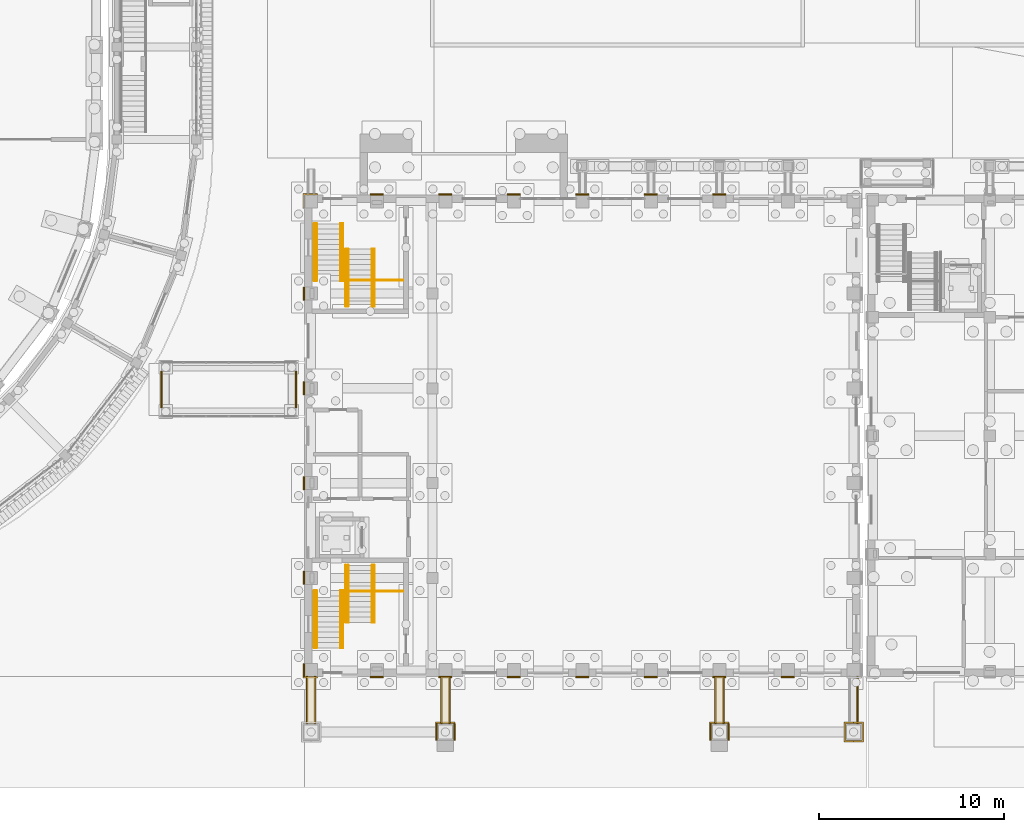
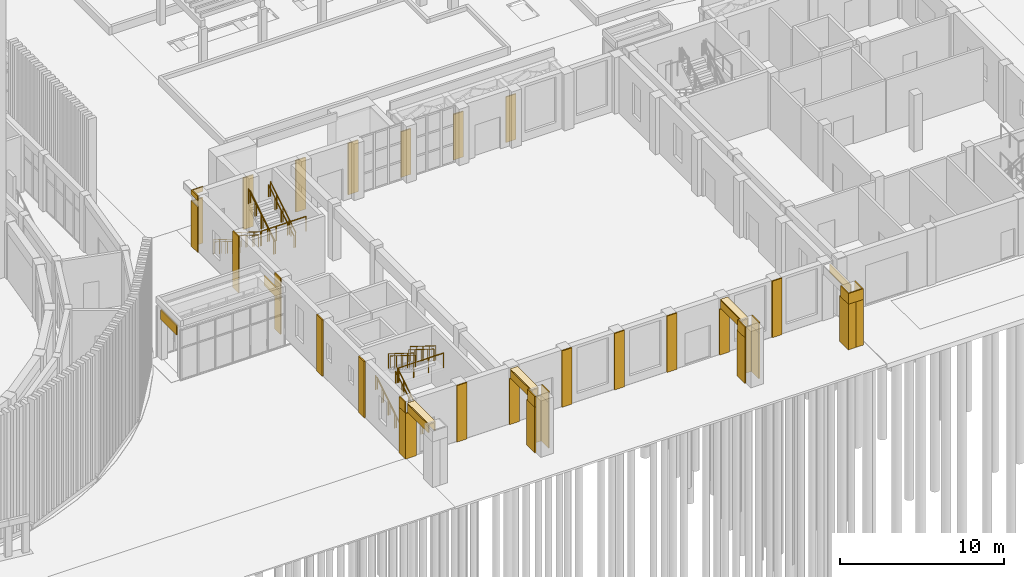
# One storey, part 96 of 112: 42 coverings, 18 railings.
"""IFC4 building model written with IfcOpenShell, lengths in metres."""

from ifc_helpers import new_model, si_unit, direction, frame, origin, origin_2d, place, context, subcontext, project, spatial, polyline, circle, outline, extrude, material, layer, layer_set, type_object, element, save


model = new_model("IFC4")

# Units and contexts
model_context = context("Model", 3, precision=1e-05, world=origin(), true_north=direction((0.0, 1.0)))
body_context = subcontext(model_context, "Body", "Model", "MODEL_VIEW")
ifc_project = project(units=[si_unit("LENGTHUNIT", "METRE"), si_unit("AREAUNIT", "SQUARE_METRE"), si_unit("VOLUMEUNIT", "CUBIC_METRE"), si_unit("PLANEANGLEUNIT", "RADIAN"), si_unit("MASSUNIT", "GRAM", prefix="KILO")], contexts=[model_context])

# Site, building, storey
site_placement = place(None, origin())
site = spatial("IfcSite", under=ifc_project, at=site_placement, CompositionType="ELEMENT")
building_placement = place(site_placement, origin())
building = spatial("IfcBuilding", under=site, at=building_placement, Name="Wasatch Bagh Community Centre", CompositionType="ELEMENT")
storey_placement = place(building_placement, origin())
storey = spatial("IfcBuildingStorey", under=building, at=storey_placement, Name="L00", CompositionType="ELEMENT", Elevation=0.0)

# Coverings
ifc_material_1 = material(Name="Cast stone cladding", Category="masonry")
ifc_layer_1 = layer(ifc_material_1, 0.080078125)
ifc_layer_set_1 = layer_set([ifc_layer_1], Name="Cast stone cladding")
covering_type_1 = type_object("IfcCoveringType", Name="CL-B7 beam facing", PredefinedType="CLADDING", material=ifc_layer_set_1)
covering_1_placement = place(storey_placement, frame((0.0, 0.0, 3.39990234375)))
element("IfcCovering", 1, at=covering_1_placement, inside=storey, type_object=covering_type_1, Name="Beam facing", PredefinedType="CLADDING", context=body_context, shape_type="SweptSolid", body=[
    extrude(outline(polyline([(66.52490234375, 6.0), (66.52490234375, 3.449951171875), (66.60498046875, 3.449951171875), (66.60498046875, 6.0), (66.52490234375, 6.0)])), origin(), (0.0, 0.0, 1.0), 0.60009765625),
])
covering_2_placement = place(storey_placement, frame((0.0, 0.0, 3.39990234375)))
element("IfcCovering", 2, at=covering_2_placement, inside=storey, type_object=covering_type_1, Name="Beam facing", PredefinedType="CLADDING", context=body_context, shape_type="SweptSolid", body=[
    extrude(outline(polyline([(66.175048828125, 6.0), (66.175048828125, 3.449951171875), (66.094970703125, 3.449951171875), (66.094970703125, 6.0), (66.175048828125, 6.0)])), origin(), (0.0, 0.0, 1.0), 0.60009765625),
])
covering_3_placement = place(storey_placement, frame((0.0, 0.0, 4.0)))
element("IfcCovering", 3, at=covering_3_placement, inside=storey, type_object=covering_type_1, Name="Beam facing", PredefinedType="CLADDING", context=body_context, shape_type="SweptSolid", body=[
    extrude(outline(polyline([(66.094970703125, 6.0), (66.094970703125, 3.449951171875), (66.60498046875, 3.449951171875), (66.60498046875, 6.0), (66.094970703125, 6.0)])), origin(), (0.0, 0.0, 1.0), 0.080078125),
])
covering_4_placement = place(storey_placement, frame((0.0, 0.0, 3.39990234375)))
element("IfcCovering", 4, at=covering_4_placement, inside=storey, type_object=covering_type_1, Name="Beam facing", PredefinedType="CLADDING", context=body_context, shape_type="SweptSolid", body=[
    extrude(outline(polyline([(73.77490234375, 6.0), (73.77490234375, 3.449951171875), (73.85498046875, 3.449951171875), (73.85498046875, 6.0), (73.77490234375, 6.0)])), origin(), (0.0, 0.0, 1.0), 0.60009765625),
])
covering_5_placement = place(storey_placement, frame((0.0, 0.0, 3.39990234375)))
element("IfcCovering", 5, at=covering_5_placement, inside=storey, type_object=covering_type_1, Name="Beam facing", PredefinedType="CLADDING", context=body_context, shape_type="SweptSolid", body=[
    extrude(outline(polyline([(73.425048828125, 6.0), (73.425048828125, 3.449951171875), (73.344970703125, 3.449951171875), (73.344970703125, 6.0), (73.425048828125, 6.0)])), origin(), (0.0, 0.0, 1.0), 0.60009765625),
])
covering_6_placement = place(storey_placement, frame((0.0, 0.0, 4.0)))
element("IfcCovering", 6, at=covering_6_placement, inside=storey, type_object=covering_type_1, Name="Beam facing", PredefinedType="CLADDING", context=body_context, shape_type="SweptSolid", body=[
    extrude(outline(polyline([(73.344970703125, 6.0), (73.344970703125, 3.449951171875), (73.85498046875, 3.449951171875), (73.85498046875, 6.0), (73.344970703125, 6.0)])), origin(), (0.0, 0.0, 1.0), 0.080078125),
])
covering_7_placement = place(storey_placement, frame((0.0, 0.0, 3.39990234375)))
element("IfcCovering", 7, at=covering_7_placement, inside=storey, type_object=covering_type_1, Name="Beam facing", PredefinedType="CLADDING", context=body_context, shape_type="SweptSolid", body=[
    extrude(outline(polyline([(88.574951171875, 6.0), (88.574951171875, 3.449951171875), (88.655029296875, 3.449951171875), (88.655029296875, 6.0), (88.574951171875, 6.0)])), origin(), (0.0, 0.0, 1.0), 0.60009765625),
])
covering_8_placement = place(storey_placement, frame((0.0, 0.0, 3.39990234375)))
element("IfcCovering", 8, at=covering_8_placement, inside=storey, type_object=covering_type_1, Name="Beam facing", PredefinedType="CLADDING", context=body_context, shape_type="SweptSolid", body=[
    extrude(outline(polyline([(88.22509765625, 6.0), (88.22509765625, 3.449951171875), (88.14501953125, 3.449951171875), (88.14501953125, 6.0), (88.22509765625, 6.0)])), origin(), (0.0, 0.0, 1.0), 0.60009765625),
])
covering_9_placement = place(storey_placement, frame((0.0, 0.0, 4.0)))
element("IfcCovering", 9, at=covering_9_placement, inside=storey, type_object=covering_type_1, Name="Beam facing", PredefinedType="CLADDING", context=body_context, shape_type="SweptSolid", body=[
    extrude(outline(polyline([(88.14501953125, 6.0), (88.14501953125, 3.449951171875), (88.655029296875, 3.449951171875), (88.655029296875, 6.0), (88.14501953125, 6.0)])), origin(), (0.0, 0.0, 1.0), 0.080078125),
])
covering_10_placement = place(storey_placement, frame((0.0, 0.0, 3.39990234375)))
element("IfcCovering", 10, at=covering_10_placement, inside=storey, type_object=covering_type_1, Name="Beam facing", PredefinedType="CLADDING", context=body_context, shape_type="SweptSolid", body=[
    extrude(outline(polyline([(95.824951171875, 6.0), (95.824951171875, 3.449951171875), (95.905029296875, 3.449951171875), (95.905029296875, 6.0), (95.824951171875, 6.0)])), origin(), (0.0, 0.0, 1.0), 0.60009765625),
])
covering_11_placement = place(storey_placement, frame((0.0, 0.0, 3.080078125)))
element("IfcCovering", 11, at=covering_11_placement, inside=storey, type_object=covering_type_1, Name="Beam facing", PredefinedType="CLADDING", context=body_context, shape_type="SweptSolid", body=[
    extrude(outline(polyline([(58.300048828125, 20.52490234375), (58.300048828125, 22.47509765625), (58.219970703125, 22.47509765625), (58.219970703125, 20.52490234375), (58.300048828125, 20.52490234375)])), origin(), (0.0, 0.0, 1.0), 0.699951171875),
])
covering_12_placement = place(storey_placement, frame((0.0, 0.0, 3.080078125)))
element("IfcCovering", 12, at=covering_12_placement, inside=storey, type_object=covering_type_1, Name="Beam facing", PredefinedType="CLADDING", context=body_context, shape_type="SweptSolid", body=[
    extrude(outline(polyline([(65.5, 20.52490234375), (65.5, 22.47509765625), (65.580078125, 22.47509765625), (65.580078125, 20.52490234375), (65.5, 20.52490234375)])), origin(), (0.0, 0.0, 1.0), 0.699951171875),
])
ifc_layer_2 = layer(ifc_material_1, 0.080078125)
ifc_layer_set_2 = layer_set([ifc_layer_2], Name="Cast stone cladding")
covering_type_2 = type_object("IfcCoveringType", Name="CL-C1 column facing", PredefinedType="CLADDING", material=ifc_layer_set_2)
covering_13_placement = place(storey_placement, origin())
element("IfcCovering", 13, at=covering_13_placement, inside=storey, type_object=covering_type_2, Name="Column facing", PredefinedType="CLADDING", context=body_context, shape_type="SweptSolid", body=[
    extrude(outline(polyline([(73.070068359375, 2.550048828125), (73.070068359375, 3.530029296875), (74.1298828125, 3.530029296875), (74.1298828125, 2.550048828125), (74.050048828125, 2.550048828125), (74.050048828125, 3.449951171875), (73.14990234375, 3.449951171875), (73.14990234375, 2.550048828125), (73.070068359375, 2.550048828125)])), origin(), (0.0, 0.0, 1.0), 3.39990234375),
])
covering_14_placement = place(storey_placement, frame((0.0, 0.0, 3.39990234375)))
element("IfcCovering", 14, at=covering_14_placement, inside=storey, type_object=covering_type_2, Name="Column facing", PredefinedType="CLADDING", context=body_context, shape_type="SweptSolid", body=[
    extrude(outline(polyline([(74.050048828125, 3.449951171875), (74.1298828125, 3.449951171875), (74.1298828125, 2.550048828125), (74.050048828125, 2.550048828125), (74.050048828125, 3.449951171875)])), origin(), (0.0, 0.0, 1.0), 0.800048828125),
])
covering_15_placement = place(storey_placement, frame((0.0, 0.0, 3.39990234375)))
element("IfcCovering", 15, at=covering_15_placement, inside=storey, type_object=covering_type_2, Name="Column facing", PredefinedType="CLADDING", context=body_context, shape_type="SweptSolid", body=[
    extrude(outline(polyline([(73.14990234375, 2.550048828125), (73.070068359375, 2.550048828125), (73.070068359375, 3.449951171875), (73.14990234375, 3.449951171875), (73.14990234375, 2.550048828125)])), origin(), (0.0, 0.0, 1.0), 0.800048828125),
])
covering_16_placement = place(storey_placement, origin())
element("IfcCovering", 16, at=covering_16_placement, inside=storey, type_object=covering_type_2, Name="Column facing", PredefinedType="CLADDING", context=body_context, shape_type="SweptSolid", body=[
    extrude(outline(polyline([(87.8701171875, 2.550048828125), (87.8701171875, 3.530029296875), (88.929931640625, 3.530029296875), (88.929931640625, 2.550048828125), (88.85009765625, 2.550048828125), (88.85009765625, 3.449951171875), (87.949951171875, 3.449951171875), (87.949951171875, 2.550048828125), (87.8701171875, 2.550048828125)])), origin(), (0.0, 0.0, 1.0), 3.39990234375),
])
covering_17_placement = place(storey_placement, frame((0.0, 0.0, 3.39990234375)))
element("IfcCovering", 17, at=covering_17_placement, inside=storey, type_object=covering_type_2, Name="Column facing", PredefinedType="CLADDING", context=body_context, shape_type="SweptSolid", body=[
    extrude(outline(polyline([(88.85009765625, 3.449951171875), (88.929931640625, 3.449951171875), (88.929931640625, 2.550048828125), (88.85009765625, 2.550048828125), (88.85009765625, 3.449951171875)])), origin(), (0.0, 0.0, 1.0), 0.800048828125),
])
covering_18_placement = place(storey_placement, frame((0.0, 0.0, 3.39990234375)))
element("IfcCovering", 18, at=covering_18_placement, inside=storey, type_object=covering_type_2, Name="Column facing", PredefinedType="CLADDING", context=body_context, shape_type="SweptSolid", body=[
    extrude(outline(polyline([(87.949951171875, 2.550048828125), (87.8701171875, 2.550048828125), (87.8701171875, 3.449951171875), (87.949951171875, 3.449951171875), (87.949951171875, 2.550048828125)])), origin(), (0.0, 0.0, 1.0), 0.800048828125),
])
covering_19_placement = place(storey_placement, origin())
element("IfcCovering", 19, at=covering_19_placement, inside=storey, type_object=covering_type_2, Name="Column facing", PredefinedType="CLADDING", context=body_context, shape_type="SweptSolid", body=[
    extrude(outline(polyline([(95.64990234375, 3.530029296875), (95.64990234375, 3.449951171875), (95.199951171875, 3.449951171875), (95.199951171875, 2.550048828125), (95.64990234375, 2.550048828125), (95.64990234375, 2.469970703125), (95.1201171875, 2.469970703125), (95.1201171875, 3.530029296875), (95.64990234375, 3.530029296875)])), origin(), (0.0, 0.0, 1.0), 3.39990234375),
])
covering_20_placement = place(storey_placement, origin())
element("IfcCovering", 20, at=covering_20_placement, inside=storey, type_object=covering_type_2, Name="Column facing", PredefinedType="CLADDING", context=body_context, shape_type="SweptSolid", body=[
    extrude(outline(polyline([(96.179931640625, 3.530029296875), (96.179931640625, 2.469970703125), (95.64990234375, 2.469970703125), (95.64990234375, 2.550048828125), (96.10009765625, 2.550048828125), (96.10009765625, 3.449951171875), (95.64990234375, 3.449951171875), (95.64990234375, 3.530029296875), (96.179931640625, 3.530029296875)])), origin(), (0.0, 0.0, 1.0), 3.39990234375),
])
covering_21_placement = place(storey_placement, frame((0.0, 0.0, 3.39990234375)))
element("IfcCovering", 21, at=covering_21_placement, inside=storey, type_object=covering_type_2, Name="Column facing", PredefinedType="CLADDING", context=body_context, shape_type="SweptSolid", body=[
    extrude(outline(polyline([(95.1201171875, 2.469970703125), (95.1201171875, 3.449951171875), (95.199951171875, 3.449951171875), (95.199951171875, 2.550048828125), (96.10009765625, 2.550048828125), (96.10009765625, 3.449951171875), (96.179931640625, 3.449951171875), (96.179931640625, 2.469970703125), (95.1201171875, 2.469970703125)])), origin(), (0.0, 0.0, 1.0), 0.800048828125),
])
covering_22_placement = place(storey_placement, origin())
element("IfcCovering", 22, at=covering_22_placement, inside=storey, type_object=covering_type_2, Name="Column facing", PredefinedType="CLADDING", context=body_context, shape_type="SweptSolid", body=[
    extrude(outline(polyline([(65.919921875, 5.919921875), (65.919921875, 6.699951171875), (66.0, 6.699951171875), (66.0, 6.0), (66.699951171875, 6.0), (66.699951171875, 5.919921875), (65.919921875, 5.919921875)])), origin(), (0.0, 0.0, 1.0), 3.39990234375),
])
covering_23_placement = place(storey_placement, frame((0.0, 0.0, 3.39990234375)))
element("IfcCovering", 23, at=covering_23_placement, inside=storey, type_object=covering_type_2, Name="Column facing", PredefinedType="CLADDING", context=body_context, shape_type="SweptSolid", body=[
    extrude(outline(polyline([(66.0, 6.699951171875), (66.0, 6.0), (65.919921875, 6.0), (65.919921875, 6.699951171875), (66.0, 6.699951171875)])), origin(), (0.0, 0.0, 1.0), 0.800048828125),
])
covering_24_placement = place(storey_placement, origin())
element("IfcCovering", 24, at=covering_24_placement, inside=storey, type_object=covering_type_2, Name="Column facing", PredefinedType="CLADDING", context=body_context, shape_type="SweptSolid", body=[
    extrude(outline(polyline([(69.550048828125, 6.0), (70.25, 6.0), (70.25, 5.919921875), (69.550048828125, 5.919921875), (69.550048828125, 6.0)])), origin(), (0.0, 0.0, 1.0), 4.199951171875),
])
covering_25_placement = place(storey_placement, origin())
element("IfcCovering", 25, at=covering_25_placement, inside=storey, type_object=covering_type_2, Name="Column facing", PredefinedType="CLADDING", context=body_context, shape_type="SweptSolid", body=[
    extrude(outline(polyline([(73.25, 6.0), (73.949951171875, 6.0), (73.949951171875, 5.919921875), (73.25, 5.919921875), (73.25, 6.0)])), origin(), (0.0, 0.0, 1.0), 3.39990234375),
])
covering_26_placement = place(storey_placement, origin())
element("IfcCovering", 26, at=covering_26_placement, inside=storey, type_object=covering_type_2, Name="Column facing", PredefinedType="CLADDING", context=body_context, shape_type="SweptSolid", body=[
    extrude(outline(polyline([(76.949951171875, 6.0), (77.64990234375, 6.0), (77.64990234375, 5.919921875), (76.949951171875, 5.919921875), (76.949951171875, 6.0)])), origin(), (0.0, 0.0, 1.0), 4.199951171875),
])
covering_27_placement = place(storey_placement, origin())
element("IfcCovering", 27, at=covering_27_placement, inside=storey, type_object=covering_type_2, Name="Column facing", PredefinedType="CLADDING", context=body_context, shape_type="SweptSolid", body=[
    extrude(outline(polyline([(80.64990234375, 6.0), (81.35009765625, 6.0), (81.35009765625, 5.919921875), (80.64990234375, 5.919921875), (80.64990234375, 6.0)])), origin(), (0.0, 0.0, 1.0), 4.199951171875),
])
covering_28_placement = place(storey_placement, origin())
element("IfcCovering", 28, at=covering_28_placement, inside=storey, type_object=covering_type_2, Name="Column facing", PredefinedType="CLADDING", context=body_context, shape_type="SweptSolid", body=[
    extrude(outline(polyline([(84.35009765625, 6.0), (85.050048828125, 6.0), (85.050048828125, 5.919921875), (84.35009765625, 5.919921875), (84.35009765625, 6.0)])), origin(), (0.0, 0.0, 1.0), 4.199951171875),
])
covering_29_placement = place(storey_placement, origin())
element("IfcCovering", 29, at=covering_29_placement, inside=storey, type_object=covering_type_2, Name="Column facing", PredefinedType="CLADDING", context=body_context, shape_type="SweptSolid", body=[
    extrude(outline(polyline([(88.050048828125, 6.0), (88.75, 6.0), (88.75, 5.919921875), (88.050048828125, 5.919921875), (88.050048828125, 6.0)])), origin(), (0.0, 0.0, 1.0), 3.39990234375),
])
covering_30_placement = place(storey_placement, origin())
element("IfcCovering", 30, at=covering_30_placement, inside=storey, type_object=covering_type_2, Name="Column facing", PredefinedType="CLADDING", context=body_context, shape_type="SweptSolid", body=[
    extrude(outline(polyline([(91.75, 6.0), (92.449951171875, 6.0), (92.449951171875, 5.919921875), (91.75, 5.919921875), (91.75, 6.0)])), origin(), (0.0, 0.0, 1.0), 4.199951171875),
])
covering_31_placement = place(storey_placement, origin())
element("IfcCovering", 31, at=covering_31_placement, inside=storey, type_object=covering_type_2, Name="Column facing", PredefinedType="CLADDING", context=body_context, shape_type="SweptSolid", body=[
    extrude(outline(polyline([(66.0, 31.300048828125), (65.919921875, 31.300048828125), (65.919921875, 32.080078125), (66.699951171875, 32.080078125), (66.699951171875, 32.0), (66.0, 32.0), (66.0, 31.300048828125)])), origin(), (0.0, 0.0, 1.0), 3.39990234375),
])
covering_32_placement = place(storey_placement, frame((0.0, 0.0, 3.85009765625)))
element("IfcCovering", 32, at=covering_32_placement, inside=storey, type_object=covering_type_2, Name="Column facing", PredefinedType="CLADDING", context=body_context, shape_type="SweptSolid", body=[
    extrude(outline(polyline([(66.0, 31.300048828125), (65.919921875, 31.300048828125), (65.919921875, 32.080078125), (66.699951171875, 32.080078125), (66.699951171875, 32.0), (66.0, 32.0), (66.0, 31.300048828125)])), origin(), (0.0, 0.0, 1.0), 0.349853515625),
])
covering_33_placement = place(storey_placement, origin())
element("IfcCovering", 33, at=covering_33_placement, inside=storey, type_object=covering_type_2, Name="Column facing", PredefinedType="CLADDING", context=body_context, shape_type="SweptSolid", body=[
    extrude(outline(polyline([(70.25, 32.0), (69.550048828125, 32.0), (69.550048828125, 32.080078125), (70.25, 32.080078125), (70.25, 32.0)])), origin(), (0.0, 0.0, 1.0), 3.85009765625),
])
covering_34_placement = place(storey_placement, origin())
element("IfcCovering", 34, at=covering_34_placement, inside=storey, type_object=covering_type_2, Name="Column facing", PredefinedType="CLADDING", context=body_context, shape_type="SweptSolid", body=[
    extrude(outline(polyline([(73.949951171875, 32.0), (73.25, 32.0), (73.25, 32.080078125), (73.949951171875, 32.080078125), (73.949951171875, 32.0)])), origin(), (0.0, 0.0, 1.0), 3.85009765625),
])
covering_35_placement = place(storey_placement, origin())
element("IfcCovering", 35, at=covering_35_placement, inside=storey, type_object=covering_type_2, Name="Column facing", PredefinedType="CLADDING", context=body_context, shape_type="SweptSolid", body=[
    extrude(outline(polyline([(77.64990234375, 32.0), (76.949951171875, 32.0), (76.949951171875, 32.080078125), (77.64990234375, 32.080078125), (77.64990234375, 32.0)])), origin(), (0.0, 0.0, 1.0), 3.85009765625),
])
covering_36_placement = place(storey_placement, origin())
element("IfcCovering", 36, at=covering_36_placement, inside=storey, type_object=covering_type_2, Name="Column facing", PredefinedType="CLADDING", context=body_context, shape_type="SweptSolid", body=[
    extrude(outline(polyline([(81.35009765625, 32.0), (80.64990234375, 32.0), (80.64990234375, 32.080078125), (81.35009765625, 32.080078125), (81.35009765625, 32.0)])), origin(), (0.0, 0.0, 1.0), 3.39990234375),
])
covering_37_placement = place(storey_placement, origin())
element("IfcCovering", 37, at=covering_37_placement, inside=storey, type_object=covering_type_2, Name="Column facing", PredefinedType="CLADDING", context=body_context, shape_type="SweptSolid", body=[
    extrude(outline(polyline([(85.050048828125, 32.0), (84.35009765625, 32.0), (84.35009765625, 32.080078125), (85.050048828125, 32.080078125), (85.050048828125, 32.0)])), origin(), (0.0, 0.0, 1.0), 3.39990234375),
])
covering_38_placement = place(storey_placement, origin())
element("IfcCovering", 38, at=covering_38_placement, inside=storey, type_object=covering_type_2, Name="Column facing", PredefinedType="CLADDING", context=body_context, shape_type="SweptSolid", body=[
    extrude(outline(polyline([(88.75, 32.0), (88.050048828125, 32.0), (88.050048828125, 32.080078125), (88.75, 32.080078125), (88.75, 32.0)])), origin(), (0.0, 0.0, 1.0), 3.39990234375),
])
covering_39_placement = place(storey_placement, origin())
element("IfcCovering", 39, at=covering_39_placement, inside=storey, type_object=covering_type_2, Name="Column facing", PredefinedType="CLADDING", context=body_context, shape_type="SweptSolid", body=[
    extrude(outline(polyline([(66.0, 11.669921875), (66.0, 10.969970703125), (65.919921875, 10.969970703125), (65.919921875, 11.669921875), (66.0, 11.669921875)])), origin(), (0.0, 0.0, 1.0), 4.199951171875),
])
covering_40_placement = place(storey_placement, origin())
element("IfcCovering", 40, at=covering_40_placement, inside=storey, type_object=covering_type_2, Name="Column facing", PredefinedType="CLADDING", context=body_context, shape_type="SweptSolid", body=[
    extrude(outline(polyline([(66.0, 16.7900390625), (66.0, 16.090087890625), (65.919921875, 16.090087890625), (65.919921875, 16.7900390625), (66.0, 16.7900390625)])), origin(), (0.0, 0.0, 1.0), 4.199951171875),
])
covering_41_placement = place(storey_placement, frame((0.0, 0.0, 0.01611328125)))
element("IfcCovering", 41, at=covering_41_placement, inside=storey, type_object=covering_type_2, Name="Column facing", PredefinedType="CLADDING", context=body_context, shape_type="SweptSolid", body=[
    extrude(outline(polyline([(66.0, 21.909912109375), (66.0, 21.2099609375), (65.919921875, 21.2099609375), (65.919921875, 21.909912109375), (66.0, 21.909912109375)])), origin(), (0.0, 0.0, 1.0), 4.183837890625),
])
covering_42_placement = place(storey_placement, origin())
element("IfcCovering", 42, at=covering_42_placement, inside=storey, type_object=covering_type_2, Name="Column facing", PredefinedType="CLADDING", context=body_context, shape_type="SweptSolid", body=[
    extrude(outline(polyline([(66.0, 27.030029296875), (66.0, 26.330078125), (65.919921875, 26.330078125), (65.919921875, 27.030029296875), (66.0, 27.030029296875)])), origin(), (0.0, 0.0, 1.0), 4.199951171875),
])

# Railings
ifc_material_2 = material(Name="ASTM A36 steel", Category="steel")
railing_type_1 = type_object("IfcRailingType", Name="DH guard", PredefinedType="GUARDRAIL", material=ifc_material_2)
for number, where, name in (
    (43, (66.530029296875, 7.550048828125, 0.175048828125), "GUARD ST6"),
    (44, (68.070068359375, 7.550048828125, 0.175048828125), "GUARD ST6"),
):
    element("IfcRailing", number, at=place(storey_placement, frame(where)), inside=storey, type_object=railing_type_1, Name=name, PredefinedType="GUARDRAIL", context=body_context, shape_type="SweptSolid", body=[
        extrude(circle(Radius=0.02392578125, at=origin_2d()), frame((0.0, 0.0, 1.076171875), z_axis=(0.0, 0.847979421464, 0.530029150871), x_axis=(-1.0, 0.0, 0.0)), (0.0, 0.0, 1.0), 3.632080078125),
        extrude(circle(Radius=0.02099609375, at=origin_2d()), origin(), (0.0, 0.0, 1.0), 1.052001953125),
        extrude(circle(Radius=0.02099609375, at=origin_2d()), frame((0.0, 0.77001953125, 0.481201171875)), (0.0, 0.0, 1.0), 1.052001953125),
        extrude(circle(Radius=0.02099609375, at=origin_2d()), frame((0.0, 1.5400390625, 0.96240234375)), (0.0, 0.0, 1.0), 1.052001953125),
        extrude(circle(Radius=0.02099609375, at=origin_2d()), frame((0.0, 2.309814453125, 1.44384765625)), (0.0, 0.0, 1.0), 1.052001953125),
        extrude(circle(Radius=0.02099609375, at=origin_2d()), frame((0.0, 3.079833984375, 1.925048828125)), (0.0, 0.0, 1.0), 1.052001953125),
    ])
for number, where, name in (
    (45, (69.77001953125, 12.0, 2.27490234375), "GUARD ST6"),
    (46, (68.22998046875, 12.0, 2.27490234375), "GUARD ST6"),
):
    element("IfcRailing", number, at=place(storey_placement, frame(where)), inside=storey, type_object=railing_type_1, Name=name, PredefinedType="GUARDRAIL", context=body_context, shape_type="SweptSolid", body=[
        extrude(circle(Radius=0.02392578125, at=origin_2d()), frame((0.0, 0.0, 1.076171875), z_axis=(0.0, -0.847998304005, 0.529998940003), x_axis=(1.0, 0.0, 0.0)), (0.0, 0.0, 1.0), 3.632080078125),
        extrude(circle(Radius=0.02099609375, at=origin_2d()), origin(), (0.0, 0.0, 1.0), 1.052001953125),
        extrude(circle(Radius=0.02099609375, at=origin_2d()), frame((0.0, -0.77001953125, 0.481201171875)), (0.0, 0.0, 1.0), 1.052001953125),
        extrude(circle(Radius=0.02099609375, at=origin_2d()), frame((0.0, -1.5400390625, 0.96240234375)), (0.0, 0.0, 1.0), 1.052001953125),
        extrude(circle(Radius=0.02099609375, at=origin_2d()), frame((0.0, -2.31005859375, 1.44384765625)), (0.0, 0.0, 1.0), 1.052001953125),
        extrude(circle(Radius=0.02099609375, at=origin_2d()), frame((0.0, -3.080078125, 1.925048828125)), (0.0, 0.0, 1.0), 1.052001953125),
    ])
railing_1_placement = place(storey_placement, frame((68.14990234375, 10.610107421875, 2.10009765625)))
element("IfcRailing", 47, at=railing_1_placement, inside=storey, type_object=railing_type_1, Name="GUARD ST6", PredefinedType="GUARDRAIL", context=body_context, shape_type="SweptSolid", body=[
    extrude(circle(Radius=0.02392578125, at=origin_2d()), frame((0.0, 0.0, 1.076171875), z_axis=(1.0, 0.0, 0.0), x_axis=(0.0, 1.0, 0.0)), (0.0, 0.0, 1.0), 3.150146484375),
    extrude(circle(Radius=0.02099609375, at=origin_2d()), origin(), (0.0, 0.0, 1.0), 1.052001953125),
    extrude(circle(Radius=0.02099609375, at=origin_2d()), frame((1.050048828125, 0.0, 0.0)), (0.0, 0.0, 1.0), 1.052001953125),
    extrude(circle(Radius=0.02099609375, at=origin_2d()), frame((2.10009765625, 0.0, 0.0)), (0.0, 0.0, 1.0), 1.052001953125),
    extrude(circle(Radius=0.02099609375, at=origin_2d()), frame((3.150146484375, 0.0, 0.0)), (0.0, 0.0, 1.0), 1.052001953125),
])
for number, where, name in (
    (48, (68.070068359375, 30.449951171875, 0.175048828125), "GUARD ST7"),
    (49, (66.530029296875, 30.449951171875, 0.175048828125), "GUARD ST7"),
):
    element("IfcRailing", number, at=place(storey_placement, frame(where)), inside=storey, type_object=railing_type_1, Name=name, PredefinedType="GUARDRAIL", context=body_context, shape_type="SweptSolid", body=[
        extrude(circle(Radius=0.02392578125, at=origin_2d()), frame((0.0, 0.0, 1.076171875), z_axis=(0.0, -0.847979421464, 0.530029150871), x_axis=(1.0, 0.0, 0.0)), (0.0, 0.0, 1.0), 3.632080078125),
        extrude(circle(Radius=0.02099609375, at=origin_2d()), origin(), (0.0, 0.0, 1.0), 1.052001953125),
        extrude(circle(Radius=0.02099609375, at=origin_2d()), frame((0.0, -0.77001953125, 0.481201171875)), (0.0, 0.0, 1.0), 1.052001953125),
        extrude(circle(Radius=0.02099609375, at=origin_2d()), frame((0.0, -1.5400390625, 0.96240234375)), (0.0, 0.0, 1.0), 1.052001953125),
        extrude(circle(Radius=0.02099609375, at=origin_2d()), frame((0.0, -2.309814453125, 1.44384765625)), (0.0, 0.0, 1.0), 1.052001953125),
        extrude(circle(Radius=0.02099609375, at=origin_2d()), frame((0.0, -3.079833984375, 1.925048828125)), (0.0, 0.0, 1.0), 1.052001953125),
    ])
for number, where, name in (
    (50, (68.22998046875, 26.0, 2.27490234375), "GUARD ST7"),
    (51, (69.77001953125, 26.0, 2.27490234375), "GUARD ST7"),
):
    element("IfcRailing", number, at=place(storey_placement, frame(where)), inside=storey, type_object=railing_type_1, Name=name, PredefinedType="GUARDRAIL", context=body_context, shape_type="SweptSolid", body=[
        extrude(circle(Radius=0.02392578125, at=origin_2d()), frame((0.0, 0.0, 1.076171875), z_axis=(0.0, 0.847998304005, 0.529998940003), x_axis=(-1.0, 0.0, 0.0)), (0.0, 0.0, 1.0), 3.632080078125),
        extrude(circle(Radius=0.02099609375, at=origin_2d()), origin(), (0.0, 0.0, 1.0), 1.052001953125),
        extrude(circle(Radius=0.02099609375, at=origin_2d()), frame((0.0, 0.77001953125, 0.481201171875)), (0.0, 0.0, 1.0), 1.052001953125),
        extrude(circle(Radius=0.02099609375, at=origin_2d()), frame((0.0, 1.5400390625, 0.96240234375)), (0.0, 0.0, 1.0), 1.052001953125),
        extrude(circle(Radius=0.02099609375, at=origin_2d()), frame((0.0, 2.31005859375, 1.44384765625)), (0.0, 0.0, 1.0), 1.052001953125),
        extrude(circle(Radius=0.02099609375, at=origin_2d()), frame((0.0, 3.080078125, 1.925048828125)), (0.0, 0.0, 1.0), 1.052001953125),
    ])
railing_2_placement = place(storey_placement, frame((68.14990234375, 27.389892578125, 2.10009765625)))
element("IfcRailing", 52, at=railing_2_placement, inside=storey, type_object=railing_type_1, Name="GUARD ST7", PredefinedType="GUARDRAIL", context=body_context, shape_type="SweptSolid", body=[
    extrude(circle(Radius=0.02392578125, at=origin_2d()), frame((0.0, 0.0, 1.076171875), z_axis=(1.0, 0.0, 0.0), x_axis=(0.0, 1.0, 0.0)), (0.0, 0.0, 1.0), 3.150146484375),
    extrude(circle(Radius=0.02099609375, at=origin_2d()), origin(), (0.0, 0.0, 1.0), 1.052001953125),
    extrude(circle(Radius=0.02099609375, at=origin_2d()), frame((1.050048828125, 0.0, 0.0)), (0.0, 0.0, 1.0), 1.052001953125),
    extrude(circle(Radius=0.02099609375, at=origin_2d()), frame((2.10009765625, 0.0, 0.0)), (0.0, 0.0, 1.0), 1.052001953125),
    extrude(circle(Radius=0.02099609375, at=origin_2d()), frame((3.150146484375, 0.0, 0.0)), (0.0, 0.0, 1.0), 1.052001953125),
])
railing_type_2 = type_object("IfcRailingType", Name="DH handrail", PredefinedType="HANDRAIL", material=ifc_material_2)
for number, where, name in (
    (53, (66.64990234375, 7.550048828125, 0.175048828125), "HANDRAIL ST6"),
    (54, (67.949951171875, 7.550048828125, 0.175048828125), "HANDRAIL ST6"),
):
    element("IfcRailing", number, at=place(storey_placement, frame(where)), inside=storey, type_object=railing_type_2, Name=name, PredefinedType="HANDRAIL", context=body_context, shape_type="SweptSolid", body=[
        extrude(circle(Radius=0.02392578125, at=origin_2d()), frame((0.0, 0.0, 0.8759765625), z_axis=(0.0, 0.847979421464, 0.530029150871), x_axis=(-1.0, 0.0, 0.0)), (0.0, 0.0, 1.0), 3.632080078125),
        extrude(circle(Radius=0.02099609375, at=origin_2d()), origin(), (0.0, 0.0, 1.0), 0.851806640625),
        extrude(circle(Radius=0.02099609375, at=origin_2d()), frame((0.0, 0.77001953125, 0.481201171875)), (0.0, 0.0, 1.0), 0.851806640625),
        extrude(circle(Radius=0.02099609375, at=origin_2d()), frame((0.0, 1.5400390625, 0.96240234375)), (0.0, 0.0, 1.0), 0.851806640625),
        extrude(circle(Radius=0.02099609375, at=origin_2d()), frame((0.0, 2.309814453125, 1.44384765625)), (0.0, 0.0, 1.0), 0.851806640625),
        extrude(circle(Radius=0.02099609375, at=origin_2d()), frame((0.0, 3.079833984375, 1.925048828125)), (0.0, 0.0, 1.0), 0.851806640625),
    ])
for number, where, name in (
    (55, (69.64990234375, 12.0, 2.27490234375), "HANDRAIL ST6"),
    (56, (68.35009765625, 12.0, 2.27490234375), "HANDRAIL ST6"),
):
    element("IfcRailing", number, at=place(storey_placement, frame(where)), inside=storey, type_object=railing_type_2, Name=name, PredefinedType="HANDRAIL", context=body_context, shape_type="SweptSolid", body=[
        extrude(circle(Radius=0.02392578125, at=origin_2d()), frame((0.0, 0.0, 0.8759765625), z_axis=(0.0, -0.847998304005, 0.529998940003), x_axis=(1.0, 0.0, 0.0)), (0.0, 0.0, 1.0), 3.632080078125),
        extrude(circle(Radius=0.02099609375, at=origin_2d()), origin(), (0.0, 0.0, 1.0), 0.851806640625),
        extrude(circle(Radius=0.02099609375, at=origin_2d()), frame((0.0, -0.77001953125, 0.481201171875)), (0.0, 0.0, 1.0), 0.851806640625),
        extrude(circle(Radius=0.02099609375, at=origin_2d()), frame((0.0, -1.5400390625, 0.96240234375)), (0.0, 0.0, 1.0), 0.851806640625),
        extrude(circle(Radius=0.02099609375, at=origin_2d()), frame((0.0, -2.31005859375, 1.44384765625)), (0.0, 0.0, 1.0), 0.851806640625),
        extrude(circle(Radius=0.02099609375, at=origin_2d()), frame((0.0, -3.080078125, 1.925048828125)), (0.0, 0.0, 1.0), 0.851806640625),
    ])
for number, where, name in (
    (57, (67.949951171875, 30.449951171875, 0.175048828125), "HANDRAIL ST7"),
    (58, (66.64990234375, 30.449951171875, 0.175048828125), "HANDRAIL ST7"),
):
    element("IfcRailing", number, at=place(storey_placement, frame(where)), inside=storey, type_object=railing_type_2, Name=name, PredefinedType="HANDRAIL", context=body_context, shape_type="SweptSolid", body=[
        extrude(circle(Radius=0.02392578125, at=origin_2d()), frame((0.0, 0.0, 0.8759765625), z_axis=(0.0, -0.847979421464, 0.530029150871), x_axis=(1.0, 0.0, 0.0)), (0.0, 0.0, 1.0), 3.632080078125),
        extrude(circle(Radius=0.02099609375, at=origin_2d()), origin(), (0.0, 0.0, 1.0), 0.851806640625),
        extrude(circle(Radius=0.02099609375, at=origin_2d()), frame((0.0, -0.77001953125, 0.481201171875)), (0.0, 0.0, 1.0), 0.851806640625),
        extrude(circle(Radius=0.02099609375, at=origin_2d()), frame((0.0, -1.5400390625, 0.96240234375)), (0.0, 0.0, 1.0), 0.851806640625),
        extrude(circle(Radius=0.02099609375, at=origin_2d()), frame((0.0, -2.309814453125, 1.44384765625)), (0.0, 0.0, 1.0), 0.851806640625),
        extrude(circle(Radius=0.02099609375, at=origin_2d()), frame((0.0, -3.079833984375, 1.925048828125)), (0.0, 0.0, 1.0), 0.851806640625),
    ])
for number, where, name in (
    (59, (68.35009765625, 26.0, 2.27490234375), "HANDRAIL ST7"),
    (60, (69.64990234375, 26.0, 2.27490234375), "HANDRAIL ST7"),
):
    element("IfcRailing", number, at=place(storey_placement, frame(where)), inside=storey, type_object=railing_type_2, Name=name, PredefinedType="HANDRAIL", context=body_context, shape_type="SweptSolid", body=[
        extrude(circle(Radius=0.02392578125, at=origin_2d()), frame((0.0, 0.0, 0.8759765625), z_axis=(0.0, 0.847998304005, 0.529998940003), x_axis=(-1.0, 0.0, 0.0)), (0.0, 0.0, 1.0), 3.632080078125),
        extrude(circle(Radius=0.02099609375, at=origin_2d()), origin(), (0.0, 0.0, 1.0), 0.851806640625),
        extrude(circle(Radius=0.02099609375, at=origin_2d()), frame((0.0, 0.77001953125, 0.481201171875)), (0.0, 0.0, 1.0), 0.851806640625),
        extrude(circle(Radius=0.02099609375, at=origin_2d()), frame((0.0, 1.5400390625, 0.96240234375)), (0.0, 0.0, 1.0), 0.851806640625),
        extrude(circle(Radius=0.02099609375, at=origin_2d()), frame((0.0, 2.31005859375, 1.44384765625)), (0.0, 0.0, 1.0), 0.851806640625),
        extrude(circle(Radius=0.02099609375, at=origin_2d()), frame((0.0, 3.080078125, 1.925048828125)), (0.0, 0.0, 1.0), 0.851806640625),
    ])

save(model, "model.ifc")
